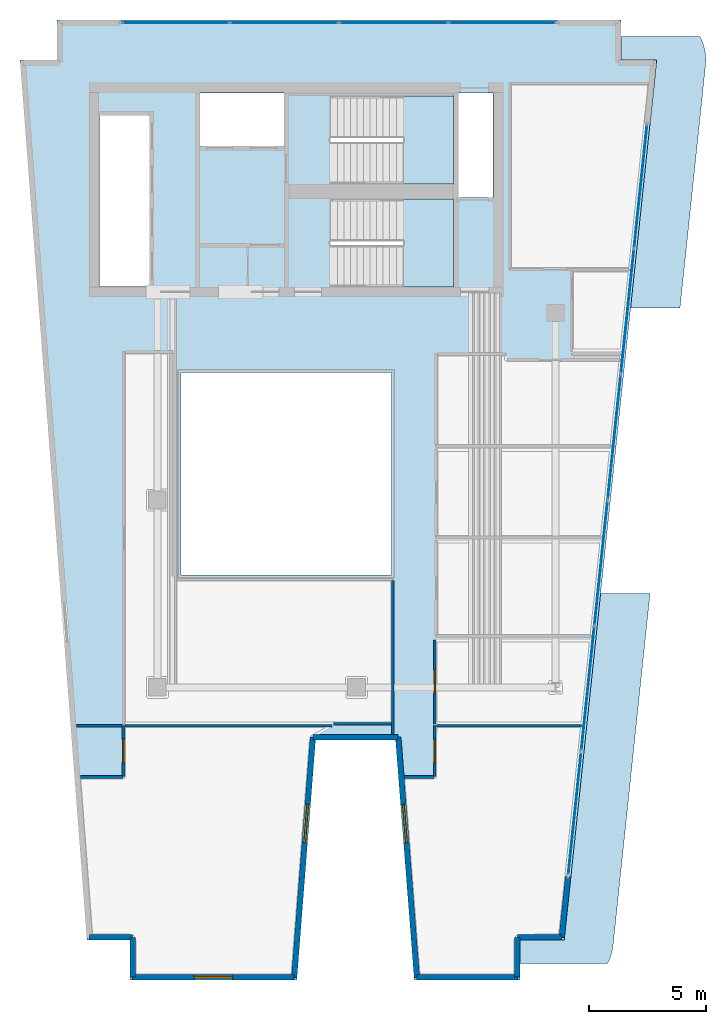
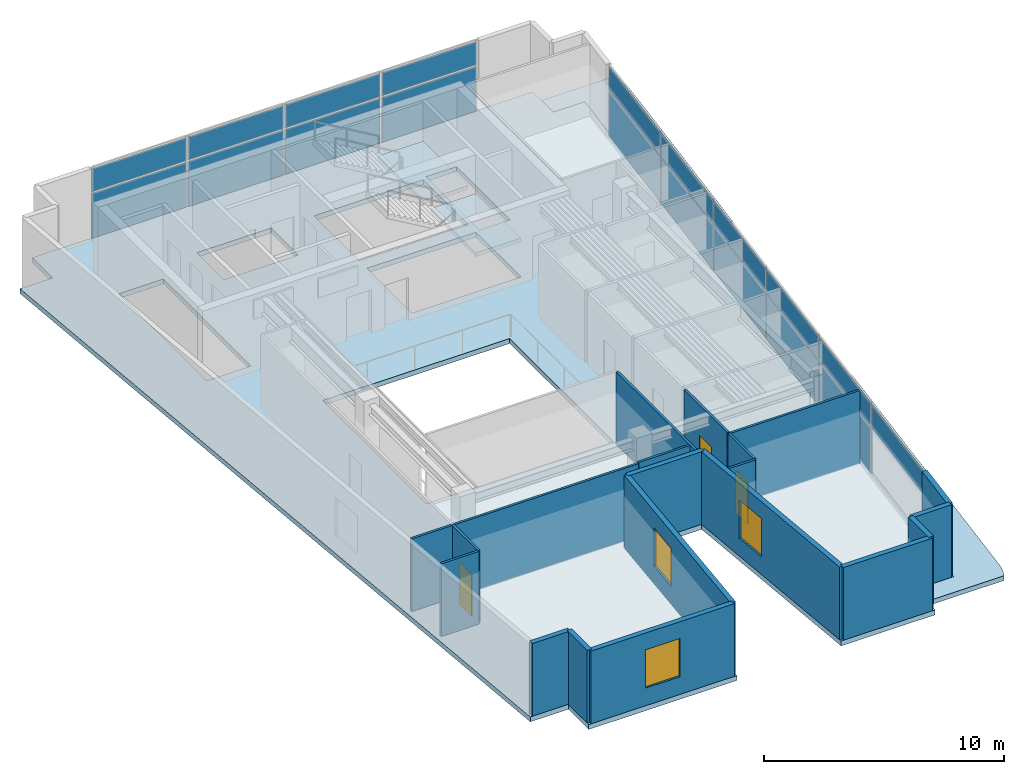
# One storey, part 2 of 6: 20 walls, 19 plates, 5 slabs, 3 doors, 3 windows, 6 openings, 4 elements without a shape of their own.
"""IFC4 building model written with IfcOpenShell, lengths in metres."""

from ifc_helpers import new_model, si_unit, direction, frame, frame_2d, origin, origin_2d, place, context, subcontext, project, spatial, polyline, rectangle, outline, extrude, material, layer, layer_set, type_object, element, fill, aggregate, save


model = new_model("IFC4")

# Units and contexts
model_context = context("Model", 3, precision=1e-05, world=origin(), true_north=direction((0.0, 1.0)))
body_context = subcontext(model_context, "Body", "Model", "MODEL_VIEW")
ifc_project = project(units=[si_unit("LENGTHUNIT", "METRE"), si_unit("AREAUNIT", "SQUARE_METRE"), si_unit("VOLUMEUNIT", "CUBIC_METRE"), si_unit("PLANEANGLEUNIT", "RADIAN"), si_unit("MASSUNIT", "GRAM", prefix="KILO")], contexts=[model_context])

# Site, building, storey
site_placement = place(None, origin())
site = spatial("IfcSite", under=ifc_project, at=site_placement, CompositionType="ELEMENT")
building_placement = place(site_placement, origin())
building = spatial("IfcBuilding", under=site, at=building_placement, Name="Caeloran Harvest Quay", CompositionType="ELEMENT")
storey_placement = place(building_placement, frame((0.0, 0.0, 276.449951171875)))
storey = spatial("IfcBuildingStorey", under=building, at=storey_placement, Name="L66", CompositionType="ELEMENT", Elevation=276.449951171875)

# Curtain wall, plates
ifc_material_1 = material(Name="Aluminium 6063-T6 and Low-E Glazing", Category="aluminium")
ifc_layer_1 = layer(ifc_material_1, 0.219970703125, Name="Aluminium 6063-T6 and Low-E Glazing")
ifc_layer_set_1 = layer_set([ifc_layer_1], Name="Aluminium 6063-T6 and Low-E Glazing")
curtain_wall_type = type_object("IfcCurtainWallType", Name="CW-SYS-CW-5", PredefinedType="USERDEFINED", material=ifc_layer_set_1)
curtain_wall_1_placement = place(storey_placement, origin())
curtain_wall_1 = element("IfcCurtainWall", 1, at=curtain_wall_1_placement, inside=storey, type_object=curtain_wall_type, Name="L66 Unitised Curtain Wall CW-5 Run 6", ObjectType="CURTAIN_WALL", PredefinedType="USERDEFINED")
ifc_material_2 = material(Name="Low-E Double Glazed Vision Glass Unit", Category="glass")
ifc_layer_2 = layer(ifc_material_2, 0.035888671875, Name="Low-E Double Glazed Vision Glass Unit")
ifc_layer_set_2 = layer_set([ifc_layer_2], Name="Low-E Double Glazed Vision Glass Unit")
plate_type = type_object("IfcPlateType", Name="CW-VISION-PANEL", PredefinedType="CURTAIN_PANEL", material=ifc_layer_set_2)
plate_1_placement = place(storey_placement, frame((9.2724609375, 43.3798828125, 0.080078125), z_axis=(0.0, 0.0, 1.0), x_axis=(1.0, 0.0, 0.0)))
plate_1 = element("IfcPlate", 2, at=plate_1_placement, type_object=plate_type, Name="CW-5 panel 1.1", PredefinedType="CURTAIN_PANEL", context=body_context, shape_type="SweptSolid", body=[
    extrude(rectangle(XDim=4.544921875, YDim=0.035888671875, at=origin_2d()), origin(), (0.0, 0.0, 1.0), 2.280029296875),
])
plate_2_placement = place(storey_placement, frame((9.2724609375, 43.3798828125, 2.43994140625), z_axis=(0.0, 0.0, 1.0), x_axis=(1.0, 0.0, 0.0)))
plate_2 = element("IfcPlate", 3, at=plate_2_placement, type_object=plate_type, Name="CW-5 panel 1.2", PredefinedType="CURTAIN_PANEL", context=body_context, shape_type="SweptSolid", body=[
    extrude(rectangle(XDim=4.544921875, YDim=0.035888671875, at=origin_2d()), origin(), (0.0, 0.0, 1.0), 1.179931640625),
])
plate_3_placement = place(storey_placement, frame((13.91748046875, 43.3798828125, 0.080078125), z_axis=(0.0, 0.0, 1.0), x_axis=(1.0, 0.0, 0.0)))
plate_3 = element("IfcPlate", 4, at=plate_3_placement, type_object=plate_type, Name="CW-5 panel 2.1", PredefinedType="CURTAIN_PANEL", context=body_context, shape_type="SweptSolid", body=[
    extrude(rectangle(XDim=4.5849609375, YDim=0.035888671875, at=origin_2d()), origin(), (0.0, 0.0, 1.0), 2.280029296875),
])
plate_4_placement = place(storey_placement, frame((13.91748046875, 43.3798828125, 2.43994140625), z_axis=(0.0, 0.0, 1.0), x_axis=(1.0, 0.0, 0.0)))
plate_4 = element("IfcPlate", 5, at=plate_4_placement, type_object=plate_type, Name="CW-5 panel 2.2", PredefinedType="CURTAIN_PANEL", context=body_context, shape_type="SweptSolid", body=[
    extrude(rectangle(XDim=4.5849609375, YDim=0.035888671875, at=origin_2d()), origin(), (0.0, 0.0, 1.0), 1.179931640625),
])
plate_5_placement = place(storey_placement, frame((18.58251953125, 43.3798828125, 0.080078125), z_axis=(0.0, 0.0, 1.0), x_axis=(1.0, 0.0, 0.0)))
plate_5 = element("IfcPlate", 6, at=plate_5_placement, type_object=plate_type, Name="CW-5 panel 3.1", PredefinedType="CURTAIN_PANEL", context=body_context, shape_type="SweptSolid", body=[
    extrude(rectangle(XDim=4.5849609375, YDim=0.035888671875, at=origin_2d()), origin(), (0.0, 0.0, 1.0), 2.280029296875),
])
plate_6_placement = place(storey_placement, frame((18.58251953125, 43.3798828125, 2.43994140625), z_axis=(0.0, 0.0, 1.0), x_axis=(1.0, 0.0, 0.0)))
plate_6 = element("IfcPlate", 7, at=plate_6_placement, type_object=plate_type, Name="CW-5 panel 3.2", PredefinedType="CURTAIN_PANEL", context=body_context, shape_type="SweptSolid", body=[
    extrude(rectangle(XDim=4.5849609375, YDim=0.035888671875, at=origin_2d()), origin(), (0.0, 0.0, 1.0), 1.179931640625),
])
plate_7_placement = place(storey_placement, frame((23.2275390625, 43.3798828125, 0.080078125), z_axis=(0.0, 0.0, 1.0), x_axis=(1.0, 0.0, 0.0)))
plate_7 = element("IfcPlate", 8, at=plate_7_placement, type_object=plate_type, Name="CW-5 panel 4.1", PredefinedType="CURTAIN_PANEL", context=body_context, shape_type="SweptSolid", body=[
    extrude(rectangle(XDim=4.544921875, YDim=0.035888671875, at=origin_2d()), origin(), (0.0, 0.0, 1.0), 2.280029296875),
])
plate_8_placement = place(storey_placement, frame((23.2275390625, 43.3798828125, 2.43994140625), z_axis=(0.0, 0.0, 1.0), x_axis=(1.0, 0.0, 0.0)))
plate_8 = element("IfcPlate", 9, at=plate_8_placement, type_object=plate_type, Name="CW-5 panel 4.2", PredefinedType="CURTAIN_PANEL", context=body_context, shape_type="SweptSolid", body=[
    extrude(rectangle(XDim=4.544921875, YDim=0.035888671875, at=origin_2d()), origin(), (0.0, 0.0, 1.0), 1.179931640625),
])
aggregate(curtain_wall_1, [plate_1, plate_2, plate_3, plate_4, plate_5, plate_6, plate_7, plate_8])

curtain_wall_2_placement = place(storey_placement, origin())
curtain_wall_2 = element("IfcCurtainWall", 10, at=curtain_wall_2_placement, inside=storey, type_object=curtain_wall_type, Name="L66 Unitised Curtain Wall CW-5 Run 9", ObjectType="CURTAIN_WALL", PredefinedType="USERDEFINED")
plate_9_placement = place(storey_placement, frame((29.132568359375, 36.391845703125, 0.080078125), z_axis=(0.0, 0.0, 1.0), x_axis=(-0.104460096251, -0.994529078655, 0.0)))
plate_9 = element("IfcPlate", 11, at=plate_9_placement, type_object=plate_type, Name="CW-5 panel 1.1", PredefinedType="CURTAIN_PANEL", context=body_context, shape_type="SweptSolid", body=[
    extrude(rectangle(XDim=5.274169921875, YDim=0.035888671875, at=origin_2d()), origin(), (0.0, 0.0, 1.0), 2.280029296875),
])
plate_10_placement = place(storey_placement, frame((29.132568359375, 36.391845703125, 2.43994140625), z_axis=(0.0, 0.0, 1.0), x_axis=(-0.104460096251, -0.994529078655, 0.0)))
plate_10 = element("IfcPlate", 12, at=plate_10_placement, type_object=plate_type, Name="CW-5 panel 1.2", PredefinedType="CURTAIN_PANEL", context=body_context, shape_type="SweptSolid", body=[
    extrude(rectangle(XDim=5.274169921875, YDim=0.035888671875, at=origin_2d()), origin(), (0.0, 0.0, 1.0), 1.179931640625),
])
plate_11_placement = place(storey_placement, frame((28.5712890625, 31.047119140625, 0.080078125), z_axis=(0.0, 0.0, 1.0), x_axis=(-0.104460096251, -0.994529078655, 0.0)))
plate_11 = element("IfcPlate", 13, at=plate_11_placement, type_object=plate_type, Name="CW-5 panel 2.1", PredefinedType="CURTAIN_PANEL", context=body_context, shape_type="SweptSolid", body=[
    extrude(rectangle(XDim=5.314208984375, YDim=0.035888671875, at=origin_2d()), origin(), (0.0, 0.0, 1.0), 2.280029296875),
])
plate_12_placement = place(storey_placement, frame((28.5712890625, 31.047119140625, 2.43994140625), z_axis=(0.0, 0.0, 1.0), x_axis=(-0.104460096251, -0.994529078655, 0.0)))
plate_12 = element("IfcPlate", 14, at=plate_12_placement, type_object=plate_type, Name="CW-5 panel 2.2", PredefinedType="CURTAIN_PANEL", context=body_context, shape_type="SweptSolid", body=[
    extrude(rectangle(XDim=5.314208984375, YDim=0.035888671875, at=origin_2d()), origin(), (0.0, 0.0, 1.0), 1.179931640625),
])
plate_13_placement = place(storey_placement, frame((28.0078125, 25.682373046875, 0.080078125), z_axis=(0.0, 0.0, 1.0), x_axis=(-0.104460096251, -0.994529078655, 0.0)))
plate_13 = element("IfcPlate", 15, at=plate_13_placement, type_object=plate_type, Name="CW-5 panel 3.1", PredefinedType="CURTAIN_PANEL", context=body_context, shape_type="SweptSolid", body=[
    extrude(rectangle(XDim=5.314208984375, YDim=0.035888671875, at=origin_2d()), origin(), (0.0, 0.0, 1.0), 2.280029296875),
])
plate_14_placement = place(storey_placement, frame((28.0078125, 25.682373046875, 2.43994140625), z_axis=(0.0, 0.0, 1.0), x_axis=(-0.104460096251, -0.994529078655, 0.0)))
plate_14 = element("IfcPlate", 16, at=plate_14_placement, type_object=plate_type, Name="CW-5 panel 3.2", PredefinedType="CURTAIN_PANEL", context=body_context, shape_type="SweptSolid", body=[
    extrude(rectangle(XDim=5.314208984375, YDim=0.035888671875, at=origin_2d()), origin(), (0.0, 0.0, 1.0), 1.179931640625),
])
plate_15_placement = place(storey_placement, frame((27.4443359375, 20.317626953125, 0.080078125), z_axis=(0.0, 0.0, 1.0), x_axis=(-0.104460096251, -0.994529078655, 0.0)))
plate_15 = element("IfcPlate", 17, at=plate_15_placement, type_object=plate_type, Name="CW-5 panel 4.1", PredefinedType="CURTAIN_PANEL", context=body_context, shape_type="SweptSolid", body=[
    extrude(rectangle(XDim=5.314208984375, YDim=0.035888671875, at=origin_2d()), origin(), (0.0, 0.0, 1.0), 2.280029296875),
])
plate_16_placement = place(storey_placement, frame((27.4443359375, 20.317626953125, 2.43994140625), z_axis=(0.0, 0.0, 1.0), x_axis=(-0.104460096251, -0.994529078655, 0.0)))
plate_16 = element("IfcPlate", 18, at=plate_16_placement, type_object=plate_type, Name="CW-5 panel 4.2", PredefinedType="CURTAIN_PANEL", context=body_context, shape_type="SweptSolid", body=[
    extrude(rectangle(XDim=5.314208984375, YDim=0.035888671875, at=origin_2d()), origin(), (0.0, 0.0, 1.0), 1.179931640625),
])
plate_17_placement = place(storey_placement, frame((26.880859375, 14.952880859375, 0.080078125), z_axis=(0.0, 0.0, 1.0), x_axis=(-0.104460096251, -0.994529078655, 0.0)))
plate_17 = element("IfcPlate", 19, at=plate_17_placement, type_object=plate_type, Name="CW-5 panel 5.1", PredefinedType="CURTAIN_PANEL", context=body_context, shape_type="SweptSolid", body=[
    extrude(rectangle(XDim=5.314208984375, YDim=0.035888671875, at=origin_2d()), origin(), (0.0, 0.0, 1.0), 2.280029296875),
])
plate_18_placement = place(storey_placement, frame((26.880859375, 14.952880859375, 2.43994140625), z_axis=(0.0, 0.0, 1.0), x_axis=(-0.104460096251, -0.994529078655, 0.0)))
plate_18 = element("IfcPlate", 20, at=plate_18_placement, type_object=plate_type, Name="CW-5 panel 5.2", PredefinedType="CURTAIN_PANEL", context=body_context, shape_type="SweptSolid", body=[
    extrude(rectangle(XDim=5.314208984375, YDim=0.035888671875, at=origin_2d()), origin(), (0.0, 0.0, 1.0), 1.179931640625),
])
plate_19_placement = place(storey_placement, frame((26.3193359375, 9.608154296875, 2.43994140625), z_axis=(0.0, 0.0, 1.0), x_axis=(-0.104460096251, -0.994529078655, 0.0)))
plate_19 = element("IfcPlate", 21, at=plate_19_placement, type_object=plate_type, Name="CW-5 panel 6.2", PredefinedType="CURTAIN_PANEL", context=body_context, shape_type="SweptSolid", body=[
    extrude(rectangle(XDim=5.274169921875, YDim=0.035888671875, at=origin_2d()), origin(), (0.0, 0.0, 1.0), 1.179931640625),
])
aggregate(curtain_wall_2, [plate_9, plate_10, plate_11, plate_12, plate_13, plate_14, plate_15, plate_16, plate_17, plate_18, plate_19])

# Slabs
ifc_material_3 = material(Name="Concrete C50/60", Category="concrete")
ifc_layer_3 = layer(ifc_material_3, 0.25, Name="Concrete C50/60")
ifc_layer_set_3 = layer_set([ifc_layer_3], Name="Concrete C50/60")
slab_type_1 = type_object("IfcSlabType", Name="SLAB-FS-250", PredefinedType="FLOOR", material=ifc_layer_set_3)
slab_1_placement = place(storey_placement, frame((0.0, 0.0, -0.25)))
element("IfcSlab", 22, at=slab_1_placement, inside=storey, type_object=slab_type_1, Name="L66 Structural Floor Slab", PredefinedType="FLOOR", context=body_context, shape_type="SweptSolid", body=[
    extrude(outline(polyline([(7.318603515625, 2.5), (14.451416015625, 2.5), (15.25146484375, 12.75), (18.670166015625, 12.75), (19.47021484375, 2.5), (23.993408203125, 2.5), (23.993408203125, 4.199951171875), (25.8720703125, 4.199951171875), (29.8212890625, 41.800048828125), (28.300048828125, 41.800048828125), (28.300048828125, 43.5), (4.199951171875, 43.5), (4.199951171875, 41.800048828125), (2.62939453125, 41.800048828125), (5.4892578125, 4.199951171875), (7.318603515625, 4.199951171875), (7.318603515625, 2.5)]), holes=[polyline([(18.5, 28.449951171875), (18.5, 19.800048828125), (9.5, 19.800048828125), (9.5, 28.449951171875), (18.5, 28.449951171875)]), polyline([(15.89990234375, 32.10009765625), (15.89990234375, 35.85009765625), (21.14990234375, 35.85009765625), (21.14990234375, 32.10009765625), (15.89990234375, 32.10009765625)]), polyline([(8.159912109375, 32.1201171875), (6.02001953125, 32.1201171875), (6.02001953125, 39.419921875), (8.159912109375, 39.419921875), (8.159912109375, 32.1201171875)]), polyline([(22.830078125, 40.3798828125), (22.830078125, 35.919921875), (21.35009765625, 35.919921875), (21.35009765625, 40.3798828125), (22.830078125, 40.3798828125)]), polyline([(15.89990234375, 36.5), (15.89990234375, 40.25), (21.14990234375, 40.25), (21.14990234375, 36.5), (15.89990234375, 36.5)]), polyline([(13.89990234375, 38.1201171875), (10.320068359375, 38.1201171875), (10.320068359375, 40.3798828125), (13.89990234375, 40.3798828125), (13.89990234375, 38.1201171875)])]), origin(), (0.0, 0.0, 1.0), 0.25),
])
ifc_layer_4 = layer(ifc_material_3, 0.239990234375, Name="Concrete C50/60")
ifc_layer_set_4 = layer_set([ifc_layer_4], Name="Concrete C50/60")
slab_type_2 = type_object("IfcSlabType", Name="SLAB-TR-240", PredefinedType="ROOF", material=ifc_layer_set_4)
slab_2_placement = place(storey_placement, frame((0.0, 0.0, -0.239990234375)))
element("IfcSlab", 23, at=slab_2_placement, inside=storey, type_object=slab_type_2, Name="L66 Step-Back Roof Slab 1", PredefinedType="ROOF", context=body_context, shape_type="SweptSolid", body=[
    extrude(outline(polyline([(27.960693359375, 3.980712890625), (27.92919921875, 3.77783203125), (27.878173828125, 3.5791015625), (27.80810546875, 3.38623046875), (27.7236328125, 3.2099609375), (23.993408203125, 3.2099609375), (23.993408203125, 4.199951171875), (25.8720703125, 4.199951171875), (27.426513671875, 19.0), (29.5380859375, 19.0), (27.960693359375, 3.980712890625)])), origin(), (0.0, 0.0, 1.0), 0.239990234375),
])
slab_3_placement = place(storey_placement, frame((0.0, 0.0, -0.239990234375)))
element("IfcSlab", 24, at=slab_3_placement, inside=storey, type_object=slab_type_2, Name="L66 Step-Back Roof Slab 2", PredefinedType="ROOF", context=body_context, shape_type="SweptSolid", body=[
    extrude(outline(polyline([(31.833984375, 42.399658203125), (31.88330078125, 42.19873046875), (31.912353515625, 41.993896484375), (31.92138671875, 41.787109375), (31.909912109375, 41.58056640625), (30.820556640625, 31.2099609375), (28.708984375, 31.2099609375), (29.8212890625, 41.800048828125), (28.300048828125, 41.800048828125), (28.300048828125, 42.7900390625), (31.6728515625, 42.7900390625), (31.677490234375, 42.7822265625), (31.76513671875, 42.5947265625), (31.833984375, 42.399658203125)])), origin(), (0.0, 0.0, 1.0), 0.239990234375),
])

# Stair, slab
stair_type = type_object("IfcStairType", Name="STAIR-STC-180", PredefinedType="HALF_TURN_STAIR", material=ifc_material_3)
stair_1_placement = place(storey_placement, origin())
stair_1 = element("IfcStair", 25, at=stair_1_placement, inside=storey, type_object=stair_type, Name="L66 Core Pressurized Exit Stair ST-C1", PredefinedType="HALF_TURN_STAIR")
ifc_layer_5 = layer(ifc_material_3, 0.219970703125, Name="Concrete C50/60")
ifc_layer_set_5 = layer_set([ifc_layer_5], Name="Concrete C50/60")
slab_type_3 = type_object("IfcSlabType", Name="STAIR-LANDING-220", PredefinedType="LANDING", material=ifc_layer_set_5)
slab_4_placement = place(storey_placement, frame((0.0, 0.0, 1.775146484375)))
slab_4 = element("IfcSlab", 26, at=slab_4_placement, type_object=slab_type_3, Name="ST-C1 landing 1", PredefinedType="LANDING", context=body_context, shape_type="SweptSolid", body=[
    extrude(outline(polyline([(18.97998046875, 36.5), (21.14990234375, 36.5), (21.14990234375, 40.25), (18.97998046875, 40.25), (18.97998046875, 36.5)])), origin(), (0.0, 0.0, 1.0), 0.199951171875),
])
aggregate(stair_1, [slab_4])

stair_2_placement = place(storey_placement, origin())
stair_2 = element("IfcStair", 27, at=stair_2_placement, inside=storey, type_object=stair_type, Name="L66 Core Pressurized Exit Stair ST-C2", PredefinedType="HALF_TURN_STAIR")
slab_5_placement = place(storey_placement, frame((0.0, 0.0, 1.775146484375)))
slab_5 = element("IfcSlab", 28, at=slab_5_placement, type_object=slab_type_3, Name="ST-C2 landing 1", PredefinedType="LANDING", context=body_context, shape_type="SweptSolid", body=[
    extrude(outline(polyline([(18.97998046875, 32.10009765625), (21.14990234375, 32.10009765625), (21.14990234375, 35.85009765625), (18.97998046875, 35.85009765625), (18.97998046875, 32.10009765625)])), origin(), (0.0, 0.0, 1.0), 0.199951171875),
])
aggregate(stair_2, [slab_5])

# Walls
ifc_material_4 = material(Name="Precast concrete C50/60", Category="concrete")
ifc_layer_6 = layer(ifc_material_4, 0.239990234375, Name="Precast concrete C50/60")
ifc_layer_set_6 = layer_set([ifc_layer_6], Name="Precast concrete C50/60")
wall_type_1 = type_object("IfcWallType", Name="ENV-WALL-EW-240", PredefinedType="STANDARD", material=ifc_layer_set_6)
wall_1_placement = place(storey_placement, frame((7.4384765625, 2.6201171875, 0.0), z_axis=(0.0, 0.0, 1.0), x_axis=(0.0, 1.0, 0.0)))
element("IfcWall", 29, at=wall_1_placement, inside=storey, type_object=wall_type_1, Name="L66 Exterior Precast Concrete Facade Wall 1", PredefinedType="STANDARD", context=body_context, shape_type="SweptSolid", body=[
    extrude(rectangle(XDim=1.699951171875, YDim=0.239990234375, at=frame_2d((0.85009765625, 0.0))), origin(), (0.0, 0.0, 1.0), 3.699951171875),
])
wall_2_placement = place(storey_placement, frame((7.4384765625, 4.320068359375, 0.0), z_axis=(0.0, 0.0, 1.0), x_axis=(-1.0, 0.0, 0.0)))
element("IfcWall", 30, at=wall_2_placement, inside=storey, type_object=wall_type_1, Name="L66 Exterior Precast Concrete Facade Wall 2", PredefinedType="STANDARD", context=body_context, shape_type="SweptSolid", body=[
    extrude(rectangle(XDim=1.838134765625, YDim=0.239990234375, at=frame_2d((0.9189453125, 0.0))), origin(), (0.0, 0.0, 1.0), 3.699951171875),
])
wall_3_placement = place(storey_placement, frame((26.03564453125, 6.90576171875, 0.0), z_axis=(0.0, 0.0, 1.0), x_axis=(-0.104513699976, -0.994523446942, 0.0)))
element("IfcWall", 31, at=wall_3_placement, inside=storey, type_object=wall_type_1, Name="L66 Exterior Facade Corner Pier Wall 9B", PredefinedType="STANDARD", context=body_context, shape_type="SweptSolid", body=[
    extrude(rectangle(XDim=2.599853515625, YDim=0.239990234375, at=frame_2d((1.2998046875, 0.0))), origin(), (0.0, 0.0, 1.0), 3.699951171875),
])
wall_4_placement = place(storey_placement, frame((25.763916015625, 4.320068359375, 0.0), z_axis=(0.0, 0.0, 1.0), x_axis=(-1.0, 0.0, 0.0)))
element("IfcWall", 32, at=wall_4_placement, inside=storey, type_object=wall_type_1, Name="L66 Exterior Precast Concrete Facade Wall 10", PredefinedType="STANDARD", context=body_context, shape_type="SweptSolid", body=[
    extrude(rectangle(XDim=1.890380859375, YDim=0.239990234375, at=frame_2d((0.9453125, 0.0))), origin(), (0.0, 0.0, 1.0), 3.699951171875),
])
wall_5_placement = place(storey_placement, frame((23.87353515625, 4.320068359375, 0.0), z_axis=(0.0, 0.0, 1.0), x_axis=(0.0, -1.0, 0.0)))
element("IfcWall", 33, at=wall_5_placement, inside=storey, type_object=wall_type_1, Name="L66 Exterior Precast Concrete Facade Wall 11", PredefinedType="STANDARD", context=body_context, shape_type="SweptSolid", body=[
    extrude(rectangle(XDim=1.699951171875, YDim=0.239990234375, at=frame_2d((0.85009765625, 0.0))), origin(), (0.0, 0.0, 1.0), 3.699951171875),
])
wall_6_placement = place(storey_placement, frame((23.87353515625, 2.6201171875, 0.0), z_axis=(0.0, 0.0, 1.0), x_axis=(-1.0, 0.0, 0.0)))
element("IfcWall", 34, at=wall_6_placement, inside=storey, type_object=wall_type_1, Name="L66 Exterior Precast Concrete Facade Wall 12", PredefinedType="STANDARD", context=body_context, shape_type="SweptSolid", body=[
    extrude(rectangle(XDim=4.292236328125, YDim=0.239990234375, at=frame_2d((2.14599609375, 0.0))), origin(), (0.0, 0.0, 1.0), 3.699951171875),
])

# Wall, opening, window
wall_7_placement = place(storey_placement, frame((19.581298828125, 2.6201171875, 0.0), z_axis=(0.0, 0.0, 1.0), x_axis=(-0.077816860153, 0.996967670627, 0.0)))
wall_7 = element("IfcWall", 35, at=wall_7_placement, inside=storey, type_object=wall_type_1, Name="L66 Exterior Precast Concrete Facade Wall 13", PredefinedType="STANDARD", context=body_context, shape_type="SweptSolid", body=[
    extrude(rectangle(XDim=10.28125, YDim=0.239990234375, at=frame_2d((5.140625, 0.0))), origin(), (0.0, 0.0, 1.0), 3.699951171875),
])
opening_1_placement = place(wall_7_placement, frame((5.7548828125, 0.0, 0.89990234375)))
opening_1 = element("IfcOpeningElement", 36, at=opening_1_placement, cuts=wall_7, Name="Opening W-08", PredefinedType="OPENING", context=body_context, shape_type="SweptSolid", body=[
    extrude(rectangle(XDim=1.64990234375, YDim=1.949951171875, at=frame_2d((0.824951171875, 0.97509765625))), frame((0.0, 0.1298828125, 0.0), z_axis=(0.0, -1.0, 0.0), x_axis=(1.0, 0.0, 0.0)), (0.0, 0.0, 1.0), 0.260009765625),
])
ifc_material_5 = material(Name="Aluminium-Framed Low-E Laminated Glass", Category="aluminium")
window_type = type_object("IfcWindowType", Name="WIN-W-08", PartitioningType="SINGLE_PANEL", PredefinedType="WINDOW", material=ifc_material_5)
window_1_placement = place(opening_1_placement, origin())
window_1 = element("IfcWindow", 37, at=window_1_placement, inside=storey, type_object=window_type, Name="L66 Facade Punched Window W-08", OverallHeight=1.949951171875, OverallWidth=1.64990234375, PartitioningType="SINGLE_PANEL", PredefinedType="WINDOW", context=body_context, shape_type="SweptSolid", body=[
    extrude(rectangle(XDim=1.64990234375, YDim=1.949951171875, at=frame_2d((0.824951171875, 0.97509765625))), frame((0.0, 0.030029296875, 0.0), z_axis=(0.0, -1.0, 0.0), x_axis=(1.0, 0.0, 0.0)), (0.0, 0.0, 1.0), 0.06005859375),
])
fill(opening_1, window_1)

# Wall
wall_8_placement = place(storey_placement, frame((18.78125, 12.8701171875, 0.0), z_axis=(0.0, 0.0, 1.0), x_axis=(-1.0, 0.0, 0.0)))
element("IfcWall", 38, at=wall_8_placement, inside=storey, type_object=wall_type_1, Name="L66 Exterior Precast Concrete Facade Wall 14", PredefinedType="STANDARD", context=body_context, shape_type="SweptSolid", body=[
    extrude(rectangle(XDim=3.640869140625, YDim=0.239990234375, at=frame_2d((1.8203125, 0.0))), origin(), (0.0, 0.0, 1.0), 3.699951171875),
])

# Wall, opening, window
wall_9_placement = place(storey_placement, frame((15.140380859375, 12.8701171875, 0.0), z_axis=(0.0, 0.0, 1.0), x_axis=(-0.077793257511, -0.996969512616, 0.0)))
wall_9 = element("IfcWall", 39, at=wall_9_placement, inside=storey, type_object=wall_type_1, Name="L66 Exterior Precast Concrete Facade Wall 15", PredefinedType="STANDARD", context=body_context, shape_type="SweptSolid", body=[
    extrude(rectangle(XDim=10.28125, YDim=0.239990234375, at=frame_2d((5.140625, 0.0))), origin(), (0.0, 0.0, 1.0), 3.699951171875),
])
opening_2_placement = place(wall_9_placement, frame((2.8759765625, 0.0, 0.89990234375)))
opening_2 = element("IfcOpeningElement", 40, at=opening_2_placement, cuts=wall_9, Name="Opening W-08", PredefinedType="OPENING", context=body_context, shape_type="SweptSolid", body=[
    extrude(rectangle(XDim=1.64990234375, YDim=1.949951171875, at=frame_2d((0.824951171875, 0.97509765625))), frame((0.0, 0.1298828125, 0.0), z_axis=(0.0, -1.0, 0.0), x_axis=(1.0, 0.0, 0.0)), (0.0, 0.0, 1.0), 0.260009765625),
])
window_2_placement = place(opening_2_placement, origin())
window_2 = element("IfcWindow", 41, at=window_2_placement, inside=storey, type_object=window_type, Name="L66 Facade Punched Window W-08", OverallHeight=1.949951171875, OverallWidth=1.64990234375, PartitioningType="SINGLE_PANEL", PredefinedType="WINDOW", context=body_context, shape_type="SweptSolid", body=[
    extrude(rectangle(XDim=1.64990234375, YDim=1.949951171875, at=frame_2d((0.824951171875, 0.97509765625))), frame((0.0, 0.030029296875, 0.0), z_axis=(0.0, -1.0, 0.0), x_axis=(1.0, 0.0, 0.0)), (0.0, 0.0, 1.0), 0.06005859375),
])
fill(opening_2, window_2)

wall_10_placement = place(storey_placement, frame((14.340576171875, 2.6201171875, 0.0), z_axis=(0.0, 0.0, 1.0), x_axis=(-1.0, 0.0, 0.0)))
wall_10 = element("IfcWall", 42, at=wall_10_placement, inside=storey, type_object=wall_type_1, Name="L66 Exterior Precast Concrete Facade Wall 16", PredefinedType="STANDARD", context=body_context, shape_type="SweptSolid", body=[
    extrude(rectangle(XDim=6.902099609375, YDim=0.239990234375, at=frame_2d((3.451171875, 0.0))), origin(), (0.0, 0.0, 1.0), 3.699951171875),
])
opening_3_placement = place(wall_10_placement, frame((2.6259765625, 0.0, 0.89990234375)))
opening_3 = element("IfcOpeningElement", 43, at=opening_3_placement, cuts=wall_10, Name="Opening W-08", PredefinedType="OPENING", context=body_context, shape_type="SweptSolid", body=[
    extrude(rectangle(XDim=1.64990234375, YDim=1.949951171875, at=frame_2d((0.824951171875, 0.97509765625))), frame((0.0, 0.1298828125, 0.0), z_axis=(0.0, -1.0, 0.0), x_axis=(1.0, 0.0, 0.0)), (0.0, 0.0, 1.0), 0.260009765625),
])
window_3_placement = place(opening_3_placement, origin())
window_3 = element("IfcWindow", 44, at=window_3_placement, inside=storey, type_object=window_type, Name="L66 Facade Punched Window W-08", OverallHeight=1.949951171875, OverallWidth=1.64990234375, PartitioningType="SINGLE_PANEL", PredefinedType="WINDOW", context=body_context, shape_type="SweptSolid", body=[
    extrude(rectangle(XDim=1.64990234375, YDim=1.949951171875, at=frame_2d((0.824951171875, 0.97509765625))), frame((0.0, 0.030029296875, 0.0), z_axis=(0.0, -1.0, 0.0), x_axis=(1.0, 0.0, 0.0)), (0.0, 0.0, 1.0), 0.06005859375),
])
fill(opening_3, window_3)

# Wall
ifc_material_6 = material(Name="Single-Stud Acoustic Gypsum Office Partition", Category="gypsum")
ifc_layer_7 = layer(ifc_material_6, 0.112060546875, Name="Single-Stud Acoustic Gypsum Office Partition")
ifc_layer_set_7 = layer_set([ifc_layer_7], Name="Single-Stud Acoustic Gypsum Office Partition")
wall_type_2 = type_object("IfcWallType", Name="INT-WALL-PW-112", PredefinedType="PARTITIONING", material=ifc_layer_set_7)
wall_11_placement = place(storey_placement, frame((5.204833984375, 11.169921875, 0.0), z_axis=(0.0, 0.0, 1.0), x_axis=(1.0, 0.0, 0.0)))
element("IfcWall", 45, at=wall_11_placement, inside=storey, type_object=wall_type_2, Name="Executive Sky-Floor Office Partition Wall", PredefinedType="PARTITIONING", context=body_context, shape_type="SweptSolid", body=[
    extrude(rectangle(XDim=1.815185546875, YDim=0.112060546875, at=frame_2d((0.90771484375, 0.0))), origin(), (0.0, 0.0, 1.0), 3.699951171875),
])

# Wall, opening, door
wall_12_placement = place(storey_placement, frame((7.050048828125, 11.199951171875, 0.0), z_axis=(0.0, 0.0, 1.0), x_axis=(0.0, 1.0, 0.0)))
wall_12 = element("IfcWall", 46, at=wall_12_placement, inside=storey, type_object=wall_type_2, Name="Executive Sky-Floor Office Partition Wall", PredefinedType="PARTITIONING", context=body_context, shape_type="SweptSolid", body=[
    extrude(rectangle(XDim=2.16015625, YDim=0.112060546875, at=frame_2d((1.080078125, 0.0))), origin(), (0.0, 0.0, 1.0), 3.699951171875),
])
opening_4_placement = place(wall_12_placement, frame((0.580078125, 0.0, 0.0)))
opening_4 = element("IfcOpeningElement", 47, at=opening_4_placement, cuts=wall_12, Name="Opening ID-01", PredefinedType="OPENING", context=body_context, shape_type="SweptSolid", body=[
    extrude(rectangle(XDim=1.0, YDim=2.14990234375, at=frame_2d((0.5, 1.074951171875))), frame((0.0, 0.06591796875, 0.0), z_axis=(0.0, -1.0, 0.0), x_axis=(1.0, 0.0, 0.0)), (0.0, 0.0, 1.0), 0.132080078125),
])
ifc_material_7 = material(Name="FSC Solid-Core Ash Timber and Acoustic Seal", Category="wood")
door_type = type_object("IfcDoorType", Name="INTDOOR-ID-01", OperationType="NOTDEFINED", PredefinedType="DOOR", material=ifc_material_7)
door_1_placement = place(opening_4_placement, origin())
door_1 = element("IfcDoor", 48, at=door_1_placement, inside=storey, type_object=door_type, Name="Executive Sky-Floor Office Access Door", OperationType="SINGLE_SWING_LEFT", OverallHeight=2.14990234375, OverallWidth=1.0, PredefinedType="DOOR", context=body_context, shape_type="SweptSolid", body=[
    extrude(rectangle(XDim=1.0, YDim=2.14990234375, at=frame_2d((0.5, 1.074951171875))), frame((0.0, 0.02490234375, 0.0), z_axis=(0.0, -1.0, 0.0), x_axis=(1.0, 0.0, 0.0)), (0.0, 0.0, 1.0), 0.050048828125),
])
fill(opening_4, door_1)

# Walls
wall_13_placement = place(storey_placement, frame((5.0380859375, 13.360107421875, 0.0), z_axis=(0.0, 0.0, 1.0), x_axis=(1.0, 0.0, 0.0)))
element("IfcWall", 49, at=wall_13_placement, inside=storey, type_object=wall_type_2, Name="Executive Sky-Floor Office Partition Wall", PredefinedType="PARTITIONING", context=body_context, shape_type="SweptSolid", body=[
    extrude(rectangle(XDim=1.950927734375, YDim=0.112060546875, at=frame_2d((0.9755859375, 0.0))), origin(), (0.0, 0.0, 1.0), 3.699951171875),
])
wall_14_placement = place(storey_placement, frame((7.111083984375, 13.360107421875, 0.0), z_axis=(0.0, 0.0, 1.0), x_axis=(1.0, 0.0, 0.0)))
element("IfcWall", 50, at=wall_14_placement, inside=storey, type_object=wall_type_2, Name="Executive Sky-Floor Office Partition Wall", PredefinedType="PARTITIONING", context=body_context, shape_type="SweptSolid", body=[
    extrude(rectangle(XDim=8.8408203125, YDim=0.112060546875, at=frame_2d((4.42041015625, 0.0))), origin(), (0.0, 0.0, 1.0), 3.699951171875),
])
wall_15_placement = place(storey_placement, frame((19.039306640625, 11.169921875, 0.0), z_axis=(0.0, 0.0, 1.0), x_axis=(1.0, 0.0, 0.0)))
element("IfcWall", 51, at=wall_15_placement, inside=storey, type_object=wall_type_2, Name="Strategic Foresight Laboratory Partition Wall", PredefinedType="PARTITIONING", context=body_context, shape_type="SweptSolid", body=[
    extrude(rectangle(XDim=1.28076171875, YDim=0.112060546875, at=frame_2d((0.640380859375, 0.0))), origin(), (0.0, 0.0, 1.0), 3.699951171875),
])

# Wall, opening, door
wall_16_placement = place(storey_placement, frame((20.35009765625, 11.199951171875, 0.0), z_axis=(0.0, 0.0, 1.0), x_axis=(0.0, 1.0, 0.0)))
wall_16 = element("IfcWall", 52, at=wall_16_placement, inside=storey, type_object=wall_type_2, Name="Strategic Foresight Laboratory Partition Wall", PredefinedType="PARTITIONING", context=body_context, shape_type="SweptSolid", body=[
    extrude(rectangle(XDim=2.16015625, YDim=0.112060546875, at=frame_2d((1.080078125, 0.0))), origin(), (0.0, 0.0, 1.0), 3.699951171875),
])
opening_5_placement = place(wall_16_placement, frame((0.580078125, 0.0, 0.0)))
opening_5 = element("IfcOpeningElement", 53, at=opening_5_placement, cuts=wall_16, Name="Opening ID-01", PredefinedType="OPENING", context=body_context, shape_type="SweptSolid", body=[
    extrude(rectangle(XDim=1.0, YDim=2.14990234375, at=frame_2d((0.5, 1.074951171875))), frame((0.0, 0.06591796875, 0.0), z_axis=(0.0, -1.0, 0.0), x_axis=(1.0, 0.0, 0.0)), (0.0, 0.0, 1.0), 0.132080078125),
])
door_2_placement = place(opening_5_placement, origin())
door_2 = element("IfcDoor", 54, at=door_2_placement, inside=storey, type_object=door_type, Name="Strategic Foresight Laboratory Access Door", OperationType="SINGLE_SWING_RIGHT", OverallHeight=2.14990234375, OverallWidth=1.0, PredefinedType="DOOR", context=body_context, shape_type="SweptSolid", body=[
    extrude(rectangle(XDim=1.0, YDim=2.14990234375, at=frame_2d((0.5, 1.074951171875))), frame((0.0, 0.02490234375, 0.0), z_axis=(0.0, -1.0, 0.0), x_axis=(1.0, 0.0, 0.0)), (0.0, 0.0, 1.0), 0.050048828125),
])
fill(opening_5, door_2)

# Wall
wall_17_placement = place(storey_placement, frame((20.410888671875, 13.360107421875, 0.0), z_axis=(0.0, 0.0, 1.0), x_axis=(1.0, 0.0, 0.0)))
element("IfcWall", 55, at=wall_17_placement, inside=storey, type_object=wall_type_2, Name="Strategic Foresight Laboratory Partition Wall", PredefinedType="PARTITIONING", context=body_context, shape_type="SweptSolid", body=[
    extrude(rectangle(XDim=6.197021484375, YDim=0.112060546875, at=frame_2d((3.0986328125, 0.0))), origin(), (0.0, 0.0, 1.0), 3.699951171875),
])

# Wall, opening, door
wall_18_placement = place(storey_placement, frame((20.35009765625, 13.43994140625, 0.0), z_axis=(0.0, 0.0, 1.0), x_axis=(0.0, 1.0, 0.0)))
wall_18 = element("IfcWall", 56, at=wall_18_placement, inside=storey, type_object=wall_type_2, Name="Chairman Corner Office Partition Wall", PredefinedType="PARTITIONING", context=body_context, shape_type="SweptSolid", body=[
    extrude(rectangle(XDim=3.580078125, YDim=0.112060546875, at=frame_2d((1.7900390625, 0.0))), origin(), (0.0, 0.0, 1.0), 3.699951171875),
])
opening_6_placement = place(wall_18_placement, frame((1.2900390625, 0.0, 0.0)))
opening_6 = element("IfcOpeningElement", 57, at=opening_6_placement, cuts=wall_18, Name="Opening ID-01", PredefinedType="OPENING", context=body_context, shape_type="SweptSolid", body=[
    extrude(rectangle(XDim=1.0, YDim=2.14990234375, at=frame_2d((0.5, 1.074951171875))), frame((0.0, 0.06591796875, 0.0), z_axis=(0.0, -1.0, 0.0), x_axis=(1.0, 0.0, 0.0)), (0.0, 0.0, 1.0), 0.132080078125),
])
door_3_placement = place(opening_6_placement, origin())
door_3 = element("IfcDoor", 58, at=door_3_placement, inside=storey, type_object=door_type, Name="Chairman Corner Office Access Door", OperationType="SINGLE_SWING_LEFT", OverallHeight=2.14990234375, OverallWidth=1.0, PredefinedType="DOOR", context=body_context, shape_type="SweptSolid", body=[
    extrude(rectangle(XDim=1.0, YDim=2.14990234375, at=frame_2d((0.5, 1.074951171875))), frame((0.0, 0.02490234375, 0.0), z_axis=(0.0, -1.0, 0.0), x_axis=(1.0, 0.0, 0.0)), (0.0, 0.0, 1.0), 0.050048828125),
])
fill(opening_6, door_3)

# Walls
wall_19_placement = place(storey_placement, frame((18.550048828125, 19.55908203125, 0.0), z_axis=(0.0, 0.0, 1.0), x_axis=(0.0, -1.0, 0.0)))
element("IfcWall", 59, at=wall_19_placement, inside=storey, type_object=wall_type_2, Name="Managing Principal Office Partition Wall", PredefinedType="PARTITIONING", context=body_context, shape_type="SweptSolid", body=[
    extrude(rectangle(XDim=6.56396484375, YDim=0.112060546875, at=frame_2d((3.281982421875, 0.0))), origin(), (0.0, 0.0, 1.0), 3.699951171875),
])
wall_20_placement = place(storey_placement, frame((18.489013671875, 13.43994140625, 0.0), z_axis=(0.0, 0.0, 1.0), x_axis=(-1.0, 0.0, 0.0)))
element("IfcWall", 60, at=wall_20_placement, inside=storey, type_object=wall_type_2, Name="Managing Principal Office Partition Wall", PredefinedType="PARTITIONING", context=body_context, shape_type="SweptSolid", body=[
    extrude(rectangle(XDim=2.4736328125, YDim=0.112060546875, at=frame_2d((1.23681640625, 0.0))), origin(), (0.0, 0.0, 1.0), 3.699951171875),
])

save(model, "model.ifc")
